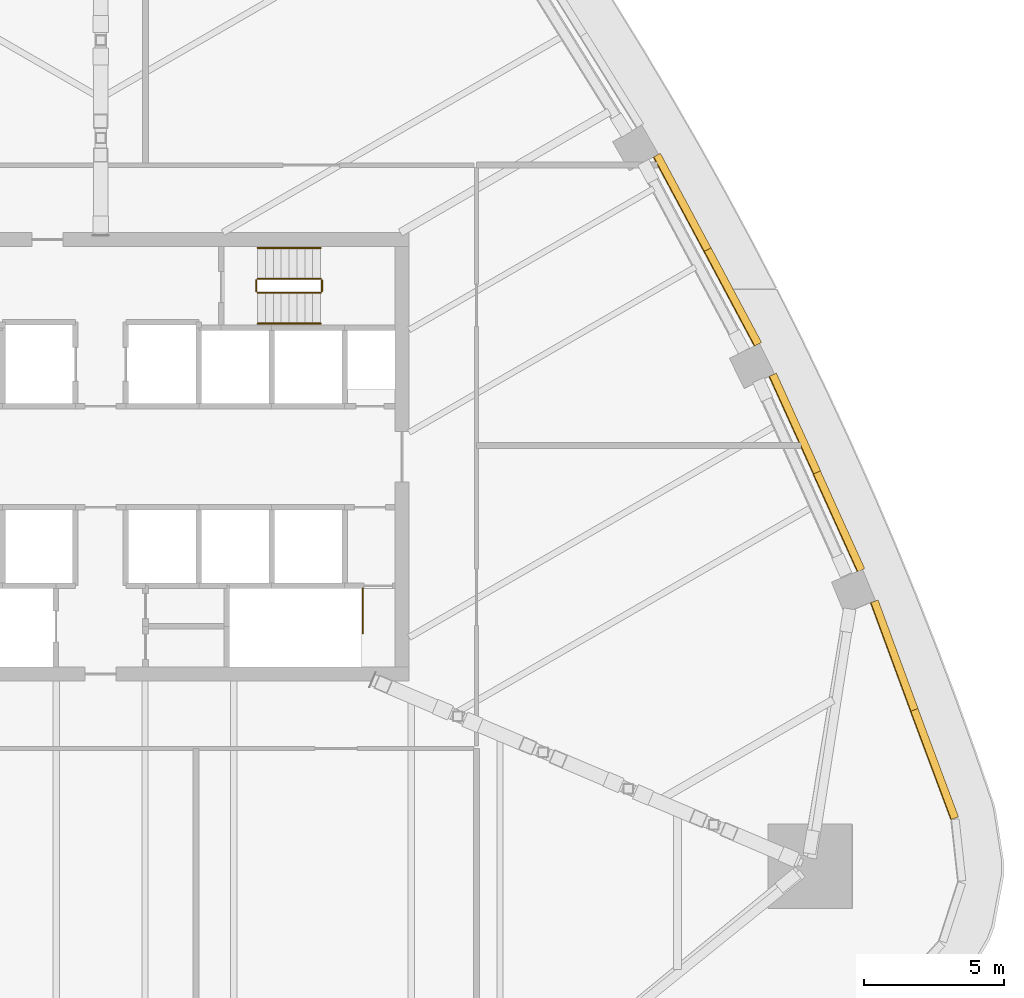
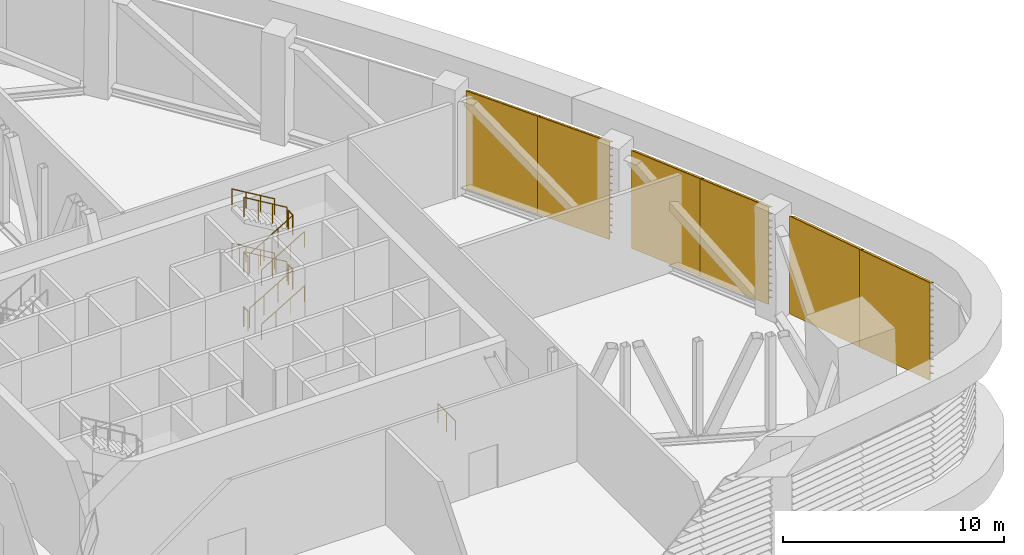
# One storey, part 15 of 18: 13 railings, 6 shading devices.
"""IFC4 building model written with IfcOpenShell, lengths in metres."""

from ifc_helpers import new_model, si_unit, direction, frame, origin, origin_2d, place, context, subcontext, project, spatial, polyline, circle, outline, extrude, material, type_object, element, save


model = new_model("IFC4")

# Units and contexts
model_context = context("Model", 3, precision=1e-05, world=origin(), true_north=direction((0.0, 1.0)))
body_context = subcontext(model_context, "Body", "Model", "MODEL_VIEW")
ifc_project = project(units=[si_unit("LENGTHUNIT", "METRE"), si_unit("AREAUNIT", "SQUARE_METRE"), si_unit("VOLUMEUNIT", "CUBIC_METRE"), si_unit("PLANEANGLEUNIT", "RADIAN"), si_unit("MASSUNIT", "GRAM", prefix="KILO")], contexts=[model_context])

# Site, building, storey
site_placement = place(None, origin())
site = spatial("IfcSite", under=ifc_project, at=site_placement, CompositionType="ELEMENT")
building_placement = place(site_placement, origin())
building = spatial("IfcBuilding", under=site, at=building_placement, Name="Sierra Prisma Convention Tower", CompositionType="ELEMENT")
storey_placement = place(building_placement, frame((0.0, 0.0, 112.60009765625)))
storey = spatial("IfcBuildingStorey", under=building, at=storey_placement, Name="L24", CompositionType="ELEMENT", Elevation=112.60009765625)

# Railings
ifc_material_1 = material(Name="Stainless steel", Category="steel")
railing_type_1 = type_object("IfcRailingType", Name="Exit stair handrail", PredefinedType="HANDRAIL", material=ifc_material_1)
railing_1_placement = place(storey_placement, frame((5.60009765625, 4.75, 0.16650390625)))
element("IfcRailing", 1, at=railing_1_placement, inside=storey, type_object=railing_type_1, Name="L24 S4 stair handrail 1", PredefinedType="HANDRAIL", context=body_context, shape_type="SweptSolid", body=[
    extrude(circle(Radius=0.02392578125, at=origin_2d()), frame((0.0, 0.0, 0.8759765625), z_axis=(0.859264461869, 0.0, 0.511531606619), x_axis=(0.0, 1.0, 0.0)), (0.0, 0.0, 1.0), 2.60693359375),
    extrude(circle(Radius=0.02099609375, at=origin_2d()), origin(), (0.0, 0.0, 1.0), 0.851806640625),
    extrude(circle(Radius=0.02099609375, at=origin_2d()), frame((0.74658203125, 0.0, 0.444580078125)), (0.0, 0.0, 1.0), 0.851806640625),
    extrude(circle(Radius=0.02099609375, at=origin_2d()), frame((1.493408203125, 0.0, 0.888916015625)), (0.0, 0.0, 1.0), 0.851806640625),
    extrude(circle(Radius=0.02099609375, at=origin_2d()), frame((2.239990234375, 0.0, 1.33349609375)), (0.0, 0.0, 1.0), 0.851806640625),
])
railing_2_placement = place(storey_placement, frame((7.840087890625, 7.449951171875, 1.66650390625)))
element("IfcRailing", 2, at=railing_2_placement, inside=storey, type_object=railing_type_1, Name="L24 S4 stair handrail 2", PredefinedType="HANDRAIL", context=body_context, shape_type="SweptSolid", body=[
    extrude(circle(Radius=0.02392578125, at=origin_2d()), frame((0.0, 0.0, 0.8759765625), z_axis=(-0.859264461869, 0.0, 0.511531606619), x_axis=(0.0, -1.0, 0.0)), (0.0, 0.0, 1.0), 2.60693359375),
    extrude(circle(Radius=0.02099609375, at=origin_2d()), origin(), (0.0, 0.0, 1.0), 0.851806640625),
    extrude(circle(Radius=0.02099609375, at=origin_2d()), frame((-0.74658203125, 0.0, 0.444580078125)), (0.0, 0.0, 1.0), 0.851806640625),
    extrude(circle(Radius=0.02099609375, at=origin_2d()), frame((-1.493408203125, 0.0, 0.888916015625)), (0.0, 0.0, 1.0), 0.851806640625),
    extrude(circle(Radius=0.02099609375, at=origin_2d()), frame((-2.239990234375, 0.0, 1.33349609375)), (0.0, 0.0, 1.0), 0.851806640625),
])
railing_3_placement = place(storey_placement, frame((5.60009765625, 4.75, 3.16650390625)))
element("IfcRailing", 3, at=railing_3_placement, inside=storey, type_object=railing_type_1, Name="L24 S4 stair handrail 3", PredefinedType="HANDRAIL", context=body_context, shape_type="SweptSolid", body=[
    extrude(circle(Radius=0.02392578125, at=origin_2d()), frame((0.0, 0.0, 0.8759765625), z_axis=(0.859264461869, 0.0, 0.511531606619), x_axis=(0.0, 1.0, 0.0)), (0.0, 0.0, 1.0), 2.60693359375),
    extrude(circle(Radius=0.02099609375, at=origin_2d()), origin(), (0.0, 0.0, 1.0), 0.851806640625),
    extrude(circle(Radius=0.02099609375, at=origin_2d()), frame((0.74658203125, 0.0, 0.444580078125)), (0.0, 0.0, 1.0), 0.851806640625),
    extrude(circle(Radius=0.02099609375, at=origin_2d()), frame((1.493408203125, 0.0, 0.888916015625)), (0.0, 0.0, 1.0), 0.851806640625),
    extrude(circle(Radius=0.02099609375, at=origin_2d()), frame((2.239990234375, 0.0, 1.33349609375)), (0.0, 0.0, 1.0), 0.851806640625),
])
railing_4_placement = place(storey_placement, frame((7.840087890625, 7.449951171875, 4.66650390625)))
element("IfcRailing", 4, at=railing_4_placement, inside=storey, type_object=railing_type_1, Name="L24 S4 stair handrail 4", PredefinedType="HANDRAIL", context=body_context, shape_type="SweptSolid", body=[
    extrude(circle(Radius=0.02392578125, at=origin_2d()), frame((0.0, 0.0, 0.8759765625), z_axis=(-0.859264461869, 0.0, 0.511531606619), x_axis=(0.0, -1.0, 0.0)), (0.0, 0.0, 1.0), 2.60693359375),
    extrude(circle(Radius=0.02099609375, at=origin_2d()), origin(), (0.0, 0.0, 1.0), 0.851806640625),
    extrude(circle(Radius=0.02099609375, at=origin_2d()), frame((-0.74658203125, 0.0, 0.444580078125)), (0.0, 0.0, 1.0), 0.851806640625),
    extrude(circle(Radius=0.02099609375, at=origin_2d()), frame((-1.493408203125, 0.0, 0.888916015625)), (0.0, 0.0, 1.0), 0.851806640625),
    extrude(circle(Radius=0.02099609375, at=origin_2d()), frame((-2.239990234375, 0.0, 1.33349609375)), (0.0, 0.0, 1.0), 0.851806640625),
])

# Shading devices
ifc_material_2 = material(Name="Aluminium 6063-T6 bronze anodised", Category="aluminium")
shading_device_type = type_object("IfcShadingDeviceType", Name="Louvre bay bronze", PredefinedType="USERDEFINED", material=ifc_material_2)
shading_device_1_placement = place(storey_placement, frame((30.3125, -12.946533203125, 0.0), z_axis=(0.349986341856, -0.936754802771, 0.0), x_axis=(0.0, 0.0, 1.0)))
element("IfcShadingDevice", 5, at=shading_device_1_placement, inside=storey, type_object=shading_device_type, Name="Louvre L24 NE1.1", ObjectType="LOUVRE", PredefinedType="USERDEFINED", context=body_context, shape_type="SweptSolid", body=[
    extrude(outline(polyline([(0.0, 0.0), (5.39990234375, 0.0), (5.39990234375, -0.02997466186974019), (5.3798828125, -0.02997466186974019), (5.260009765625, -0.30020401850344236), (5.22998046875, -0.30020401850344236), (5.349853515625, -0.02997466186974019), (5.01416015625, -0.02997466186974019), (4.994140625, -0.02997466186974019), (4.874267578125, -0.30020401850344236), (4.84423828125, -0.30020401850344236), (4.964111328125, -0.02997466186974019), (4.62841796875, -0.02997466186974019), (4.6083984375, -0.02997466186974019), (4.488525390625, -0.30020401850344236), (4.45849609375, -0.30020401850344236), (4.578369140625, -0.02997466186974019), (4.24267578125, -0.02997466186974019), (4.22265625, -0.02997466186974019), (4.102783203125, -0.30020401850344236), (4.07275390625, -0.30020401850344236), (4.19287109375, -0.02997466186974019), (3.85693359375, -0.02997466186974019), (3.837158203125, -0.02997466186974019), (3.717041015625, -0.30020401850344236), (3.68701171875, -0.30020401850344236), (3.80712890625, -0.02997466186974019), (3.471435546875, -0.02997466186974019), (3.451416015625, -0.02997466186974019), (3.331298828125, -0.30020401850344236), (3.30126953125, -0.30020401850344236), (3.42138671875, -0.02997466186974019), (3.085693359375, -0.02997466186974019), (3.065673828125, -0.02997466186974019), (2.945556640625, -0.30020401850344236), (2.91552734375, -0.30020401850344236), (3.03564453125, -0.02997466186974019), (2.699951171875, -0.02997466186974019), (2.679931640625, -0.02997466186974019), (2.559814453125, -0.30020401850344236), (2.52978515625, -0.30020401850344236), (2.64990234375, -0.02997466186974019), (2.314208984375, -0.02997466186974019), (2.294189453125, -0.02997466186974019), (2.174072265625, -0.30020401850344236), (2.144287109375, -0.30020401850344236), (2.26416015625, -0.02997466186974019), (1.928466796875, -0.02997466186974019), (1.908447265625, -0.02997466186974019), (1.78857421875, -0.30020401850344236), (1.758544921875, -0.30020401850344236), (1.87841796875, -0.02997466186974019), (1.542724609375, -0.02997466186974019), (1.522705078125, -0.02997466186974019), (1.40283203125, -0.30020401850344236), (1.372802734375, -0.30020401850344236), (1.49267578125, -0.02997466186974019), (1.156982421875, -0.02997466186974019), (1.136962890625, -0.02997466186974019), (1.01708984375, -0.30020401850344236), (0.987060546875, -0.30020401850344236), (1.10693359375, -0.02997466186974019), (0.771240234375, -0.02997466186974019), (0.751220703125, -0.02997466186974019), (0.63134765625, -0.30020401850344236), (0.601318359375, -0.30020401850344236), (0.721435546875, -0.02997466186974019), (0.385498046875, -0.02997466186974019), (0.36572265625, -0.02997466186974019), (0.24560546875, -0.30020401850344236), (0.215576171875, -0.30020401850344236), (0.335693359375, -0.02997466186974019), (0.0, -0.02997466186974019), (0.0, 0.0)])), origin(), (0.0, 0.0, -1.0), 4.123291015625),
])
shading_device_2_placement = place(storey_placement, frame((28.87255859375, -9.08251953125, 0.0), z_axis=(0.345774695932, -0.938317568659, 0.0), x_axis=(0.0, 0.0, 1.0)))
element("IfcShadingDevice", 6, at=shading_device_2_placement, inside=storey, type_object=shading_device_type, Name="Louvre L24 NE1.2", ObjectType="LOUVRE", PredefinedType="USERDEFINED", context=body_context, shape_type="SweptSolid", body=[
    extrude(outline(polyline([(0.0, 0.0), (5.39990234375, 0.0), (5.39990234375, -0.02988990664669619), (5.3798828125, -0.02988990664669619), (5.260009765625, -0.3001169881956489), (5.22998046875, -0.3001169881956489), (5.349853515625, -0.02988990664669619), (5.01416015625, -0.02988990664669619), (4.994140625, -0.02988990664669619), (4.874267578125, -0.3001169881956489), (4.84423828125, -0.3001169881956489), (4.964111328125, -0.02988990664669619), (4.62841796875, -0.02988990664669619), (4.6083984375, -0.02988990664669619), (4.488525390625, -0.3001169881956489), (4.45849609375, -0.3001169881956489), (4.578369140625, -0.02988990664669619), (4.24267578125, -0.02988990664669619), (4.22265625, -0.02988990664669619), (4.102783203125, -0.3001169881956489), (4.07275390625, -0.3001169881956489), (4.19287109375, -0.02988990664669619), (3.85693359375, -0.02988990664669619), (3.837158203125, -0.02988990664669619), (3.717041015625, -0.3001169881956489), (3.68701171875, -0.3001169881956489), (3.80712890625, -0.02988990664669619), (3.471435546875, -0.02988990664669619), (3.451416015625, -0.02988990664669619), (3.331298828125, -0.3001169881956489), (3.30126953125, -0.3001169881956489), (3.42138671875, -0.02988990664669619), (3.085693359375, -0.02988990664669619), (3.065673828125, -0.02988990664669619), (2.945556640625, -0.3001169881956489), (2.91552734375, -0.3001169881956489), (3.03564453125, -0.02988990664669619), (2.699951171875, -0.02988990664669619), (2.679931640625, -0.02988990664669619), (2.559814453125, -0.3001169881956489), (2.52978515625, -0.3001169881956489), (2.64990234375, -0.02988990664669619), (2.314208984375, -0.02988990664669619), (2.294189453125, -0.02988990664669619), (2.174072265625, -0.3001169881956489), (2.144287109375, -0.3001169881956489), (2.26416015625, -0.02988990664669619), (1.928466796875, -0.02988990664669619), (1.908447265625, -0.02988990664669619), (1.78857421875, -0.3001169881956489), (1.758544921875, -0.3001169881956489), (1.87841796875, -0.02988990664669619), (1.542724609375, -0.02988990664669619), (1.522705078125, -0.02988990664669619), (1.40283203125, -0.3001169881956489), (1.372802734375, -0.3001169881956489), (1.49267578125, -0.02988990664669619), (1.156982421875, -0.02988990664669619), (1.136962890625, -0.02988990664669619), (1.01708984375, -0.3001169881956489), (0.987060546875, -0.3001169881956489), (1.10693359375, -0.02988990664669619), (0.771240234375, -0.02988990664669619), (0.751220703125, -0.02988990664669619), (0.63134765625, -0.3001169881956489), (0.601318359375, -0.3001169881956489), (0.721435546875, -0.02988990664669619), (0.385498046875, -0.02988990664669619), (0.36572265625, -0.02988990664669619), (0.24560546875, -0.3001169881956489), (0.215576171875, -0.3001169881956489), (0.335693359375, -0.02988990664669619), (0.0, -0.02988990664669619), (0.0, 0.0)])), origin(), (0.0, 0.0, -1.0), 4.123291015625),
])
shading_device_3_placement = place(storey_placement, frame((26.9765625, -4.109619140625, 0.0), z_axis=(0.412873574462, -0.910788346166, 0.0), x_axis=(0.0, 0.0, 1.0)))
element("IfcShadingDevice", 7, at=shading_device_3_placement, inside=storey, type_object=shading_device_type, Name="Louvre L24 NE2.1", ObjectType="LOUVRE", PredefinedType="USERDEFINED", context=body_context, shape_type="SweptSolid", body=[
    extrude(outline(polyline([(0.0, 0.0), (5.39990234375, 0.0), (5.39990234375, -0.030045128678736113), (5.3798828125, -0.030045128678736113), (5.260009765625, -0.2999472907247859), (5.22998046875, -0.2999472907247859), (5.349853515625, -0.030045128678736113), (5.01416015625, -0.030045128678736113), (4.994140625, -0.030045128678736113), (4.874267578125, -0.2999472907247859), (4.84423828125, -0.2999472907247859), (4.964111328125, -0.030045128678736113), (4.62841796875, -0.030045128678736113), (4.6083984375, -0.030045128678736113), (4.488525390625, -0.2999472907247859), (4.45849609375, -0.2999472907247859), (4.578369140625, -0.030045128678736113), (4.24267578125, -0.030045128678736113), (4.22265625, -0.030045128678736113), (4.102783203125, -0.2999472907247859), (4.07275390625, -0.2999472907247859), (4.19287109375, -0.030045128678736113), (3.85693359375, -0.030045128678736113), (3.837158203125, -0.030045128678736113), (3.717041015625, -0.2999472907247859), (3.68701171875, -0.2999472907247859), (3.80712890625, -0.030045128678736113), (3.471435546875, -0.030045128678736113), (3.451416015625, -0.030045128678736113), (3.331298828125, -0.2999472907247859), (3.30126953125, -0.2999472907247859), (3.42138671875, -0.030045128678736113), (3.085693359375, -0.030045128678736113), (3.065673828125, -0.030045128678736113), (2.945556640625, -0.2999472907247859), (2.91552734375, -0.2999472907247859), (3.03564453125, -0.030045128678736113), (2.699951171875, -0.030045128678736113), (2.679931640625, -0.030045128678736113), (2.559814453125, -0.2999472907247859), (2.52978515625, -0.2999472907247859), (2.64990234375, -0.030045128678736113), (2.314208984375, -0.030045128678736113), (2.294189453125, -0.030045128678736113), (2.174072265625, -0.2999472907247859), (2.144287109375, -0.2999472907247859), (2.26416015625, -0.030045128678736113), (1.928466796875, -0.030045128678736113), (1.908447265625, -0.030045128678736113), (1.78857421875, -0.2999472907247859), (1.758544921875, -0.2999472907247859), (1.87841796875, -0.030045128678736113), (1.542724609375, -0.030045128678736113), (1.522705078125, -0.030045128678736113), (1.40283203125, -0.2999472907247859), (1.372802734375, -0.2999472907247859), (1.49267578125, -0.030045128678736113), (1.156982421875, -0.030045128678736113), (1.136962890625, -0.030045128678736113), (1.01708984375, -0.2999472907247859), (0.987060546875, -0.2999472907247859), (1.10693359375, -0.030045128678736113), (0.771240234375, -0.030045128678736113), (0.751220703125, -0.030045128678736113), (0.63134765625, -0.2999472907247859), (0.601318359375, -0.2999472907247859), (0.721435546875, -0.030045128678736113), (0.385498046875, -0.030045128678736113), (0.36572265625, -0.030045128678736113), (0.24560546875, -0.2999472907247859), (0.215576171875, -0.2999472907247859), (0.335693359375, -0.030045128678736113), (0.0, -0.030045128678736113), (0.0, 0.0)])), origin(), (0.0, 0.0, -1.0), 3.823486328125),
])
shading_device_4_placement = place(storey_placement, frame((25.405517578125, -0.6240234375, 0.0), z_axis=(0.412873574462, -0.910788346166, 0.0), x_axis=(0.0, 0.0, 1.0)))
element("IfcShadingDevice", 8, at=shading_device_4_placement, inside=storey, type_object=shading_device_type, Name="Louvre L24 NE2.2", ObjectType="LOUVRE", PredefinedType="USERDEFINED", context=body_context, shape_type="SweptSolid", body=[
    extrude(outline(polyline([(0.0, 0.0), (5.39990234375, 0.0), (5.39990234375, -0.030045128678736113), (5.3798828125, -0.030045128678736113), (5.260009765625, -0.2999472907247859), (5.22998046875, -0.2999472907247859), (5.349853515625, -0.030045128678736113), (5.01416015625, -0.030045128678736113), (4.994140625, -0.030045128678736113), (4.874267578125, -0.2999472907247859), (4.84423828125, -0.2999472907247859), (4.964111328125, -0.030045128678736113), (4.62841796875, -0.030045128678736113), (4.6083984375, -0.030045128678736113), (4.488525390625, -0.2999472907247859), (4.45849609375, -0.2999472907247859), (4.578369140625, -0.030045128678736113), (4.24267578125, -0.030045128678736113), (4.22265625, -0.030045128678736113), (4.102783203125, -0.2999472907247859), (4.07275390625, -0.2999472907247859), (4.19287109375, -0.030045128678736113), (3.85693359375, -0.030045128678736113), (3.837158203125, -0.030045128678736113), (3.717041015625, -0.2999472907247859), (3.68701171875, -0.2999472907247859), (3.80712890625, -0.030045128678736113), (3.471435546875, -0.030045128678736113), (3.451416015625, -0.030045128678736113), (3.331298828125, -0.2999472907247859), (3.30126953125, -0.2999472907247859), (3.42138671875, -0.030045128678736113), (3.085693359375, -0.030045128678736113), (3.065673828125, -0.030045128678736113), (2.945556640625, -0.2999472907247859), (2.91552734375, -0.2999472907247859), (3.03564453125, -0.030045128678736113), (2.699951171875, -0.030045128678736113), (2.679931640625, -0.030045128678736113), (2.559814453125, -0.2999472907247859), (2.52978515625, -0.2999472907247859), (2.64990234375, -0.030045128678736113), (2.314208984375, -0.030045128678736113), (2.294189453125, -0.030045128678736113), (2.174072265625, -0.2999472907247859), (2.144287109375, -0.2999472907247859), (2.26416015625, -0.030045128678736113), (1.928466796875, -0.030045128678736113), (1.908447265625, -0.030045128678736113), (1.78857421875, -0.2999472907247859), (1.758544921875, -0.2999472907247859), (1.87841796875, -0.030045128678736113), (1.542724609375, -0.030045128678736113), (1.522705078125, -0.030045128678736113), (1.40283203125, -0.2999472907247859), (1.372802734375, -0.2999472907247859), (1.49267578125, -0.030045128678736113), (1.156982421875, -0.030045128678736113), (1.136962890625, -0.030045128678736113), (1.01708984375, -0.2999472907247859), (0.987060546875, -0.2999472907247859), (1.10693359375, -0.030045128678736113), (0.771240234375, -0.030045128678736113), (0.751220703125, -0.030045128678736113), (0.63134765625, -0.2999472907247859), (0.601318359375, -0.2999472907247859), (0.721435546875, -0.030045128678736113), (0.385498046875, -0.030045128678736113), (0.36572265625, -0.030045128678736113), (0.24560546875, -0.2999472907247859), (0.215576171875, -0.2999472907247859), (0.335693359375, -0.030045128678736113), (0.0, -0.030045128678736113), (0.0, 0.0)])), origin(), (0.0, 0.0, -1.0), 3.823486328125),
])
shading_device_5_placement = place(storey_placement, frame((23.30517578125, 3.93798828125, 0.0), z_axis=(0.470381764321, -0.882463028004, 0.0), x_axis=(0.0, 0.0, 1.0)))
element("IfcShadingDevice", 9, at=shading_device_5_placement, inside=storey, type_object=shading_device_type, Name="Louvre L24 NE3.1", ObjectType="LOUVRE", PredefinedType="USERDEFINED", context=body_context, shape_type="SweptSolid", body=[
    extrude(outline(polyline([(0.0, 0.0), (5.39990234375, 0.0), (5.39990234375, -0.03014419247633569), (5.3798828125, -0.03014419247633569), (5.260009765625, -0.300034415014249), (5.22998046875, -0.300034415014249), (5.349853515625, -0.03014419247633569), (5.01416015625, -0.03014419247633569), (4.994140625, -0.03014419247633569), (4.874267578125, -0.300034415014249), (4.84423828125, -0.300034415014249), (4.964111328125, -0.03014419247633569), (4.62841796875, -0.03014419247633569), (4.6083984375, -0.03014419247633569), (4.488525390625, -0.300034415014249), (4.45849609375, -0.300034415014249), (4.578369140625, -0.03014419247633569), (4.24267578125, -0.03014419247633569), (4.22265625, -0.03014419247633569), (4.102783203125, -0.300034415014249), (4.07275390625, -0.300034415014249), (4.19287109375, -0.03014419247633569), (3.85693359375, -0.03014419247633569), (3.837158203125, -0.03014419247633569), (3.717041015625, -0.300034415014249), (3.68701171875, -0.300034415014249), (3.80712890625, -0.03014419247633569), (3.471435546875, -0.03014419247633569), (3.451416015625, -0.03014419247633569), (3.331298828125, -0.300034415014249), (3.30126953125, -0.300034415014249), (3.42138671875, -0.03014419247633569), (3.085693359375, -0.03014419247633569), (3.065673828125, -0.03014419247633569), (2.945556640625, -0.300034415014249), (2.91552734375, -0.300034415014249), (3.03564453125, -0.03014419247633569), (2.699951171875, -0.03014419247633569), (2.679931640625, -0.03014419247633569), (2.559814453125, -0.300034415014249), (2.52978515625, -0.300034415014249), (2.64990234375, -0.03014419247633569), (2.314208984375, -0.03014419247633569), (2.294189453125, -0.03014419247633569), (2.174072265625, -0.300034415014249), (2.144287109375, -0.300034415014249), (2.26416015625, -0.03014419247633569), (1.928466796875, -0.03014419247633569), (1.908447265625, -0.03014419247633569), (1.78857421875, -0.300034415014249), (1.758544921875, -0.300034415014249), (1.87841796875, -0.03014419247633569), (1.542724609375, -0.03014419247633569), (1.522705078125, -0.03014419247633569), (1.40283203125, -0.300034415014249), (1.372802734375, -0.300034415014249), (1.49267578125, -0.03014419247633569), (1.156982421875, -0.03014419247633569), (1.136962890625, -0.03014419247633569), (1.01708984375, -0.300034415014249), (0.987060546875, -0.300034415014249), (1.10693359375, -0.03014419247633569), (0.771240234375, -0.03014419247633569), (0.751220703125, -0.03014419247633569), (0.63134765625, -0.300034415014249), (0.601318359375, -0.300034415014249), (0.721435546875, -0.03014419247633569), (0.385498046875, -0.03014419247633569), (0.36572265625, -0.03014419247633569), (0.24560546875, -0.300034415014249), (0.215576171875, -0.300034415014249), (0.335693359375, -0.03014419247633569), (0.0, -0.03014419247633569), (0.0, 0.0)])), origin(), (0.0, 0.0, -1.0), 3.823486328125),
])
shading_device_6_placement = place(storey_placement, frame((21.505126953125, 7.31103515625, 0.0), z_axis=(0.472215435392, -0.881483172033, 0.0), x_axis=(0.0, 0.0, 1.0)))
element("IfcShadingDevice", 10, at=shading_device_6_placement, inside=storey, type_object=shading_device_type, Name="Louvre L24 NE3.2", ObjectType="LOUVRE", PredefinedType="USERDEFINED", context=body_context, shape_type="SweptSolid", body=[
    extrude(outline(polyline([(0.0, 0.0), (5.39990234375, 0.0), (5.39990234375, -0.029928876423904113), (5.3798828125, -0.029928876423904113), (5.260009765625, -0.30003430067769865), (5.22998046875, -0.30003430067769865), (5.349853515625, -0.029928876423904113), (5.01416015625, -0.029928876423904113), (4.994140625, -0.029928876423904113), (4.874267578125, -0.30003430067769865), (4.84423828125, -0.30003430067769865), (4.964111328125, -0.029928876423904113), (4.62841796875, -0.029928876423904113), (4.6083984375, -0.029928876423904113), (4.488525390625, -0.30003430067769865), (4.45849609375, -0.30003430067769865), (4.578369140625, -0.029928876423904113), (4.24267578125, -0.029928876423904113), (4.22265625, -0.029928876423904113), (4.102783203125, -0.30003430067769865), (4.07275390625, -0.30003430067769865), (4.19287109375, -0.029928876423904113), (3.85693359375, -0.029928876423904113), (3.837158203125, -0.029928876423904113), (3.717041015625, -0.30003430067769865), (3.68701171875, -0.30003430067769865), (3.80712890625, -0.029928876423904113), (3.471435546875, -0.029928876423904113), (3.451416015625, -0.029928876423904113), (3.331298828125, -0.30003430067769865), (3.30126953125, -0.30003430067769865), (3.42138671875, -0.029928876423904113), (3.085693359375, -0.029928876423904113), (3.065673828125, -0.029928876423904113), (2.945556640625, -0.30003430067769865), (2.91552734375, -0.30003430067769865), (3.03564453125, -0.029928876423904113), (2.699951171875, -0.029928876423904113), (2.679931640625, -0.029928876423904113), (2.559814453125, -0.30003430067769865), (2.52978515625, -0.30003430067769865), (2.64990234375, -0.029928876423904113), (2.314208984375, -0.029928876423904113), (2.294189453125, -0.029928876423904113), (2.174072265625, -0.30003430067769865), (2.144287109375, -0.30003430067769865), (2.26416015625, -0.029928876423904113), (1.928466796875, -0.029928876423904113), (1.908447265625, -0.029928876423904113), (1.78857421875, -0.30003430067769865), (1.758544921875, -0.30003430067769865), (1.87841796875, -0.029928876423904113), (1.542724609375, -0.029928876423904113), (1.522705078125, -0.029928876423904113), (1.40283203125, -0.30003430067769865), (1.372802734375, -0.30003430067769865), (1.49267578125, -0.029928876423904113), (1.156982421875, -0.029928876423904113), (1.136962890625, -0.029928876423904113), (1.01708984375, -0.30003430067769865), (0.987060546875, -0.30003430067769865), (1.10693359375, -0.029928876423904113), (0.771240234375, -0.029928876423904113), (0.751220703125, -0.029928876423904113), (0.63134765625, -0.30003430067769865), (0.601318359375, -0.30003430067769865), (0.721435546875, -0.029928876423904113), (0.385498046875, -0.029928876423904113), (0.36572265625, -0.029928876423904113), (0.24560546875, -0.30003430067769865), (0.215576171875, -0.30003430067769865), (0.335693359375, -0.029928876423904113), (0.0, -0.029928876423904113), (0.0, 0.0)])), origin(), (0.0, 0.0, -1.0), 3.823486328125),
])

# Railings
ifc_material_3 = material(Name="Stainless steel", Category="steel")
railing_type_2 = type_object("IfcRailingType", Name="Stair guard 1100", PredefinedType="GUARDRAIL", material=ifc_material_3)
railing_5_placement = place(storey_placement, frame((9.35009765625, -4.699951171875, 0.0)))
element("IfcRailing", 11, at=railing_5_placement, inside=storey, type_object=railing_type_2, Name="L24 S2 top well guard 1", PredefinedType="GUARDRAIL", context=body_context, shape_type="SweptSolid", body=[
    extrude(circle(Radius=0.02392578125, at=origin_2d()), frame((0.0, 0.0, 1.076171875), z_axis=(0.0, -1.0, 0.0), x_axis=(1.0, 0.0, 0.0)), (0.0, 0.0, 1.0), 1.60009765625),
    extrude(circle(Radius=0.02099609375, at=origin_2d()), origin(), (0.0, 0.0, 1.0), 1.052001953125),
    extrude(circle(Radius=0.02099609375, at=origin_2d()), frame((0.0, -0.800048828125, 0.0)), (0.0, 0.0, 1.0), 1.052001953125),
    extrude(circle(Radius=0.02099609375, at=origin_2d()), frame((0.0, -1.60009765625, 0.0)), (0.0, 0.0, 1.0), 1.052001953125),
])
railing_6_placement = place(storey_placement, frame((5.60009765625, 5.85009765625, 0.16650390625)))
element("IfcRailing", 12, at=railing_6_placement, inside=storey, type_object=railing_type_2, Name="L24 S4 stair guard 1", PredefinedType="GUARDRAIL", context=body_context, shape_type="SweptSolid", body=[
    extrude(circle(Radius=0.02392578125, at=origin_2d()), frame((0.0, 0.0, 1.076171875), z_axis=(0.859264461869, 0.0, 0.511531606619), x_axis=(0.0, 1.0, 0.0)), (0.0, 0.0, 1.0), 2.60693359375),
    extrude(circle(Radius=0.02099609375, at=origin_2d()), origin(), (0.0, 0.0, 1.0), 1.052001953125),
    extrude(circle(Radius=0.02099609375, at=origin_2d()), frame((0.74658203125, 0.0, 0.444580078125)), (0.0, 0.0, 1.0), 1.052001953125),
    extrude(circle(Radius=0.02099609375, at=origin_2d()), frame((1.493408203125, 0.0, 0.888916015625)), (0.0, 0.0, 1.0), 1.052001953125),
    extrude(circle(Radius=0.02099609375, at=origin_2d()), frame((2.239990234375, 0.0, 1.33349609375)), (0.0, 0.0, 1.0), 1.052001953125),
])
railing_7_placement = place(storey_placement, frame((7.889892578125, 5.89990234375, 1.5)))
element("IfcRailing", 13, at=railing_7_placement, inside=storey, type_object=railing_type_2, Name="L24 S4 stair guard 2", PredefinedType="GUARDRAIL", context=body_context, shape_type="SweptSolid", body=[
    extrude(circle(Radius=0.02392578125, at=origin_2d()), frame((0.0, 0.0, 1.076171875), z_axis=(0.0, 1.0, 0.0), x_axis=(-1.0, 0.0, 0.0)), (0.0, 0.0, 1.0), 0.400146484375),
    extrude(circle(Radius=0.02099609375, at=origin_2d()), origin(), (0.0, 0.0, 1.0), 1.052001953125),
    extrude(circle(Radius=0.02099609375, at=origin_2d()), frame((0.0, 0.400146484375, 0.0)), (0.0, 0.0, 1.0), 1.052001953125),
])
railing_8_placement = place(storey_placement, frame((7.840087890625, 6.35009765625, 1.66650390625)))
element("IfcRailing", 14, at=railing_8_placement, inside=storey, type_object=railing_type_2, Name="L24 S4 stair guard 3", PredefinedType="GUARDRAIL", context=body_context, shape_type="SweptSolid", body=[
    extrude(circle(Radius=0.02392578125, at=origin_2d()), frame((0.0, 0.0, 1.076171875), z_axis=(-0.859264461869, 0.0, 0.511531606619), x_axis=(0.0, -1.0, 0.0)), (0.0, 0.0, 1.0), 2.60693359375),
    extrude(circle(Radius=0.02099609375, at=origin_2d()), origin(), (0.0, 0.0, 1.0), 1.052001953125),
    extrude(circle(Radius=0.02099609375, at=origin_2d()), frame((-0.74658203125, 0.0, 0.444580078125)), (0.0, 0.0, 1.0), 1.052001953125),
    extrude(circle(Radius=0.02099609375, at=origin_2d()), frame((-1.493408203125, 0.0, 0.888916015625)), (0.0, 0.0, 1.0), 1.052001953125),
    extrude(circle(Radius=0.02099609375, at=origin_2d()), frame((-2.239990234375, 0.0, 1.33349609375)), (0.0, 0.0, 1.0), 1.052001953125),
])
railing_9_placement = place(storey_placement, frame((5.550048828125, 5.89990234375, 3.0)))
element("IfcRailing", 15, at=railing_9_placement, inside=storey, type_object=railing_type_2, Name="L24 S4 stair guard 4", PredefinedType="GUARDRAIL", context=body_context, shape_type="SweptSolid", body=[
    extrude(circle(Radius=0.02392578125, at=origin_2d()), frame((0.0, 0.0, 1.076171875), z_axis=(0.0, 1.0, 0.0), x_axis=(-1.0, 0.0, 0.0)), (0.0, 0.0, 1.0), 0.400146484375),
    extrude(circle(Radius=0.02099609375, at=origin_2d()), origin(), (0.0, 0.0, 1.0), 1.052001953125),
    extrude(circle(Radius=0.02099609375, at=origin_2d()), frame((0.0, 0.400146484375, 0.0)), (0.0, 0.0, 1.0), 1.052001953125),
])
railing_10_placement = place(storey_placement, frame((5.60009765625, 5.85009765625, 3.16650390625)))
element("IfcRailing", 16, at=railing_10_placement, inside=storey, type_object=railing_type_2, Name="L24 S4 stair guard 5", PredefinedType="GUARDRAIL", context=body_context, shape_type="SweptSolid", body=[
    extrude(circle(Radius=0.02392578125, at=origin_2d()), frame((0.0, 0.0, 1.076171875), z_axis=(0.859264461869, 0.0, 0.511531606619), x_axis=(0.0, 1.0, 0.0)), (0.0, 0.0, 1.0), 2.60693359375),
    extrude(circle(Radius=0.02099609375, at=origin_2d()), origin(), (0.0, 0.0, 1.0), 1.052001953125),
    extrude(circle(Radius=0.02099609375, at=origin_2d()), frame((0.74658203125, 0.0, 0.444580078125)), (0.0, 0.0, 1.0), 1.052001953125),
    extrude(circle(Radius=0.02099609375, at=origin_2d()), frame((1.493408203125, 0.0, 0.888916015625)), (0.0, 0.0, 1.0), 1.052001953125),
    extrude(circle(Radius=0.02099609375, at=origin_2d()), frame((2.239990234375, 0.0, 1.33349609375)), (0.0, 0.0, 1.0), 1.052001953125),
])
railing_11_placement = place(storey_placement, frame((7.889892578125, 5.89990234375, 4.5)))
element("IfcRailing", 17, at=railing_11_placement, inside=storey, type_object=railing_type_2, Name="L24 S4 stair guard 6", PredefinedType="GUARDRAIL", context=body_context, shape_type="SweptSolid", body=[
    extrude(circle(Radius=0.02392578125, at=origin_2d()), frame((0.0, 0.0, 1.076171875), z_axis=(0.0, 1.0, 0.0), x_axis=(-1.0, 0.0, 0.0)), (0.0, 0.0, 1.0), 0.400146484375),
    extrude(circle(Radius=0.02099609375, at=origin_2d()), origin(), (0.0, 0.0, 1.0), 1.052001953125),
    extrude(circle(Radius=0.02099609375, at=origin_2d()), frame((0.0, 0.400146484375, 0.0)), (0.0, 0.0, 1.0), 1.052001953125),
])
railing_12_placement = place(storey_placement, frame((7.840087890625, 6.35009765625, 4.66650390625)))
element("IfcRailing", 18, at=railing_12_placement, inside=storey, type_object=railing_type_2, Name="L24 S4 stair guard 7", PredefinedType="GUARDRAIL", context=body_context, shape_type="SweptSolid", body=[
    extrude(circle(Radius=0.02392578125, at=origin_2d()), frame((0.0, 0.0, 1.076171875), z_axis=(-0.859264461869, 0.0, 0.511531606619), x_axis=(0.0, -1.0, 0.0)), (0.0, 0.0, 1.0), 2.60693359375),
    extrude(circle(Radius=0.02099609375, at=origin_2d()), origin(), (0.0, 0.0, 1.0), 1.052001953125),
    extrude(circle(Radius=0.02099609375, at=origin_2d()), frame((-0.74658203125, 0.0, 0.444580078125)), (0.0, 0.0, 1.0), 1.052001953125),
    extrude(circle(Radius=0.02099609375, at=origin_2d()), frame((-1.493408203125, 0.0, 0.888916015625)), (0.0, 0.0, 1.0), 1.052001953125),
    extrude(circle(Radius=0.02099609375, at=origin_2d()), frame((-2.239990234375, 0.0, 1.33349609375)), (0.0, 0.0, 1.0), 1.052001953125),
])
railing_13_placement = place(storey_placement, frame((5.550048828125, 5.89990234375, 0.0)))
element("IfcRailing", 19, at=railing_13_placement, inside=storey, type_object=railing_type_2, Name="L24 S4 stair guard 8", PredefinedType="GUARDRAIL", context=body_context, shape_type="SweptSolid", body=[
    extrude(circle(Radius=0.02392578125, at=origin_2d()), frame((0.0, 0.0, 1.076171875), z_axis=(0.0, 1.0, 0.0), x_axis=(-1.0, 0.0, 0.0)), (0.0, 0.0, 1.0), 0.400146484375),
    extrude(circle(Radius=0.02099609375, at=origin_2d()), origin(), (0.0, 0.0, 1.0), 1.052001953125),
    extrude(circle(Radius=0.02099609375, at=origin_2d()), frame((0.0, 0.400146484375, 0.0)), (0.0, 0.0, 1.0), 1.052001953125),
])

save(model, "model.ifc")
